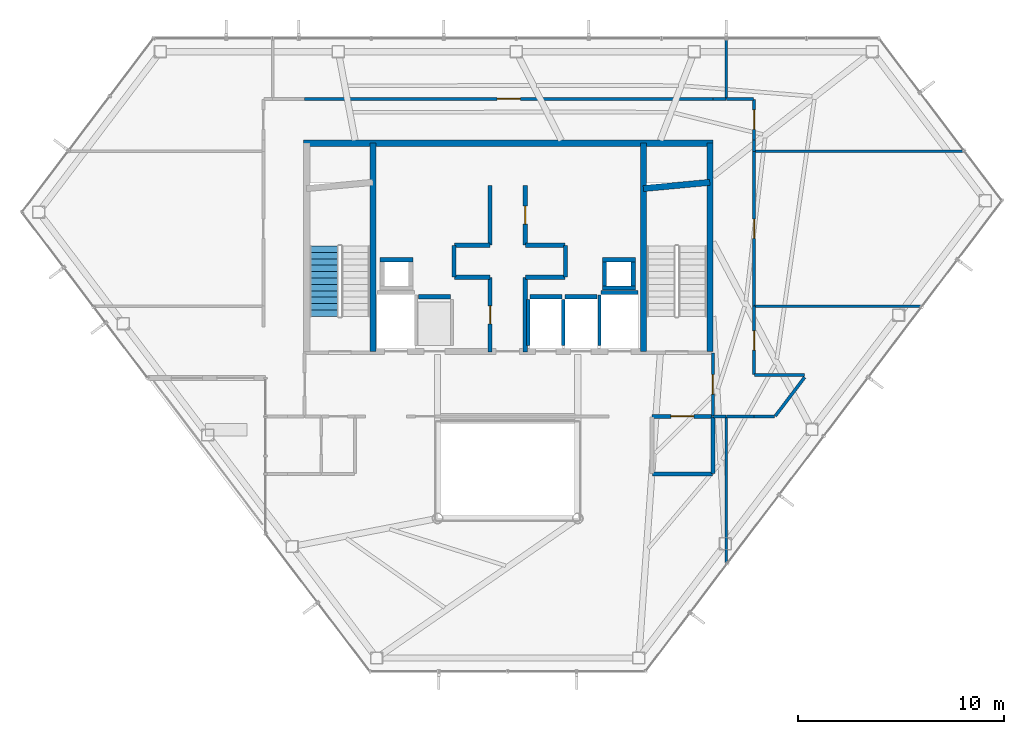
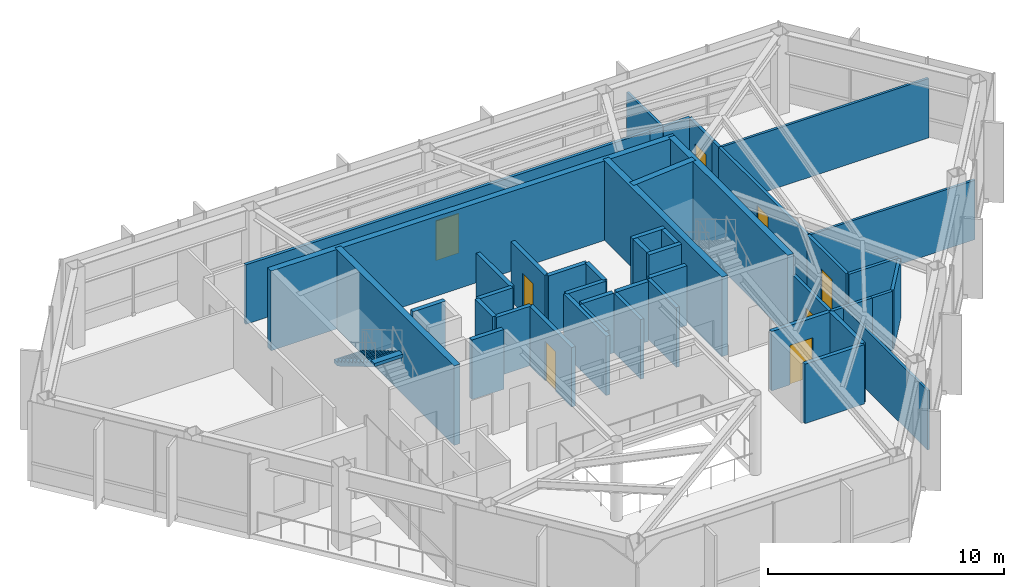
# One storey, part 20 of 23: 47 walls, 8 doors, 1 stair flight, 8 openings, 1 element without a shape of its own.
"""IFC4 building model written with IfcOpenShell, lengths in metres."""

from ifc_helpers import new_model, si_unit, direction, frame, frame_2d, origin, place, context, subcontext, project, spatial, polyline, rectangle, outline, extrude, material, layer, layer_set, type_object, element, fill, aggregate, save


model = new_model("IFC4")

# Units and contexts
model_context = context("Model", 3, precision=1e-05, world=origin(), true_north=direction((0.0, 1.0)))
body_context = subcontext(model_context, "Body", "Model", "MODEL_VIEW")
ifc_project = project(units=[si_unit("LENGTHUNIT", "METRE"), si_unit("AREAUNIT", "SQUARE_METRE"), si_unit("VOLUMEUNIT", "CUBIC_METRE"), si_unit("PLANEANGLEUNIT", "RADIAN"), si_unit("MASSUNIT", "GRAM", prefix="KILO")], contexts=[model_context])

# Site, building, storey
site_placement = place(None, origin())
site = spatial("IfcSite", under=ifc_project, at=site_placement, CompositionType="ELEMENT")
building_placement = place(site_placement, origin())
building = spatial("IfcBuilding", under=site, at=building_placement, Name="Zarrinselat Tower", CompositionType="ELEMENT")
storey_placement = place(building_placement, frame((0.0, 0.0, 199.919921875)))
storey = spatial("IfcBuildingStorey", under=building, at=storey_placement, Name="L49", CompositionType="ELEMENT", Elevation=199.919921875)

# Wall, opening, door
ifc_material_1 = material(Name="Concrete C40/50", Category="concrete")
ifc_layer_1 = layer(ifc_material_1, 0.18994140625)
ifc_layer_set_1 = layer_set([ifc_layer_1], Name="Concrete C40/50")
wall_type_1 = type_object("IfcWallType", Name="WAL-PART-EI120", PredefinedType="PARTITIONING", material=ifc_layer_set_1)
wall_1_placement = place(storey_placement, frame((45.405029296875, 30.14990234375, 0.0), z_axis=(0.0, 0.0, 1.0), x_axis=(1.0, 0.0, 0.0)))
wall_1 = element("IfcWall", 1, at=wall_1_placement, inside=storey, type_object=wall_type_1, Name="L49 Partition Wall 11", PredefinedType="PARTITIONING", context=body_context, shape_type="SweptSolid", body=[
    extrude(rectangle(XDim=2.925048828125, YDim=0.18994140625, at=frame_2d((1.46240234375, 0.0))), origin(), (0.0, 0.0, 1.0), 3.0771484375),
])
opening_1_placement = place(wall_1_placement, frame((0.902587890625, 0.0, 0.0)))
opening_1 = element("IfcOpeningElement", 2, at=opening_1_placement, cuts=wall_1, Name="Opening ID-02", PredefinedType="OPENING", context=body_context, shape_type="SweptSolid", body=[
    extrude(rectangle(XDim=1.1201171875, YDim=2.050048828125, at=frame_2d((0.56005859375, 1.02490234375))), frame((0.0, 0.10498046875, 0.0), z_axis=(0.0, -1.0, 0.0), x_axis=(1.0, 0.0, 0.0)), (0.0, 0.0, 1.0), 0.2099609375),
])
ifc_material_2 = material(Name="Steel S355J2", Category="steel")
door_type_1 = type_object("IfcDoorType", Name="DR-INT-FD60-W", OperationType="NOTDEFINED", PredefinedType="DOOR", material=ifc_material_2)
door_1_placement = place(opening_1_placement, origin())
door_1 = element("IfcDoor", 3, at=door_1_placement, inside=storey, type_object=door_type_1, Name="L49 Interior Door P11", OperationType="SINGLE_SWING_LEFT", OverallHeight=2.050048828125, OverallWidth=1.1201171875, PredefinedType="DOOR", context=body_context, shape_type="SweptSolid", body=[
    extrude(rectangle(XDim=1.1201171875, YDim=2.050048828125, at=frame_2d((0.56005859375, 1.02490234375))), frame((0.0, 0.02490234375, 0.0), z_axis=(0.0, -1.0, 0.0), x_axis=(1.0, 0.0, 0.0)), (0.0, 0.0, 1.0), 0.050048828125),
])
fill(opening_1, door_1)

# Walls
wall_2_placement = place(storey_placement, frame((45.419921875, 27.35009765625, 0.0), z_axis=(0.0, 0.0, 1.0), x_axis=(1.0, 0.0, 0.0)))
element("IfcWall", 4, at=wall_2_placement, inside=storey, type_object=wall_type_1, Name="L49 Partition Wall 18", PredefinedType="PARTITIONING", context=body_context, shape_type="SweptSolid", body=[
    extrude(rectangle(XDim=2.91015625, YDim=0.18994140625, at=frame_2d((1.455078125, 0.0))), origin(), (0.0, 0.0, 1.0), 3.0771484375),
])
wall_3_placement = place(storey_placement, frame((48.35009765625, 27.3701171875, 0.0), z_axis=(0.0, 0.0, 1.0), x_axis=(0.0, 1.0, 0.0)))
element("IfcWall", 5, at=wall_3_placement, inside=storey, type_object=wall_type_1, Name="L49 Partition Wall 20", PredefinedType="PARTITIONING", context=body_context, shape_type="SweptSolid", body=[
    extrude(rectangle(XDim=2.759765625, YDim=0.18994140625, at=frame_2d((1.3798828125, 0.0))), origin(), (0.0, 0.0, 1.0), 3.0771484375),
])

# Wall, opening, door
ifc_material_3 = material(Name="Fire-Rated Gypsum Board Partition", Category="gypsum")
ifc_layer_2 = layer(ifc_material_3, 0.14990234375)
ifc_layer_set_2 = layer_set([ifc_layer_2], Name="Fire-Rated Gypsum Board Partition")
wall_type_2 = type_object("IfcWallType", Name="WAL-PART-EI60", PredefinedType="PARTITIONING", material=ifc_layer_set_2)
wall_4_placement = place(storey_placement, frame((48.35009765625, 30.169921875, 0.0), z_axis=(0.0, 0.0, 1.0), x_axis=(0.0, 1.0, 0.0)))
wall_4 = element("IfcWall", 6, at=wall_4_placement, inside=storey, type_object=wall_type_2, Name="L49 Partition Wall 12", PredefinedType="PARTITIONING", context=body_context, shape_type="SweptSolid", body=[
    extrude(rectangle(XDim=3.06005859375, YDim=0.14990234375, at=frame_2d((1.530029296875, 0.0))), origin(), (0.0, 0.0, 1.0), 3.0771484375),
])
opening_2_placement = place(wall_4_placement, frame((1.06005859375, 0.0, 0.0)))
opening_2 = element("IfcOpeningElement", 7, at=opening_2_placement, cuts=wall_4, Name="Opening ID-04", PredefinedType="OPENING", context=body_context, shape_type="SweptSolid", body=[
    extrude(rectangle(XDim=0.93994140625, YDim=2.050048828125, at=frame_2d((0.469970703125, 1.02490234375))), frame((0.0, 0.0849609375, 0.0), z_axis=(0.0, -1.0, 0.0), x_axis=(1.0, 0.0, 0.0)), (0.0, 0.0, 1.0), 0.169921875),
])
ifc_material_4 = material(Name="Fire-Rated Gypsum Board Partition")
door_type_2 = type_object("IfcDoorType", Name="DR-INT-FD30-ENT", OperationType="NOTDEFINED", PredefinedType="DOOR", material=ifc_material_4)
door_2_placement = place(opening_2_placement, origin())
door_2 = element("IfcDoor", 8, at=door_2_placement, inside=storey, type_object=door_type_2, Name="L49 Interior Door P12", OperationType="SINGLE_SWING_RIGHT", OverallHeight=2.050048828125, OverallWidth=0.93994140625, PredefinedType="DOOR", context=body_context, shape_type="SweptSolid", body=[
    extrude(rectangle(XDim=0.93994140625, YDim=2.050048828125, at=frame_2d((0.469970703125, 1.02490234375))), frame((0.0, 0.02490234375, 0.0), z_axis=(0.0, -1.0, 0.0), x_axis=(1.0, 0.0, 0.0)), (0.0, 0.0, 1.0), 0.050048828125),
])
fill(opening_2, door_2)

# Wall
wall_5_placement = place(storey_placement, frame((48.3701171875, 30.14990234375, 0.0), z_axis=(0.0, 0.0, 1.0), x_axis=(1.0, 0.0, 0.0)))
element("IfcWall", 9, at=wall_5_placement, inside=storey, type_object=wall_type_2, Name="L49 Partition Wall 21", PredefinedType="PARTITIONING", context=body_context, shape_type="SweptSolid", body=[
    extrude(rectangle(XDim=0.625, YDim=0.14990234375, at=frame_2d((0.3125, 0.0))), origin(), (0.0, 0.0, 1.0), 3.0771484375),
])

# Wall, opening, door
wall_6_placement = place(storey_placement, frame((50.35009765625, 32.169921875, 0.0), z_axis=(0.0, 0.0, 1.0), x_axis=(0.0, 1.0, 0.0)))
wall_6 = element("IfcWall", 10, at=wall_6_placement, inside=storey, type_object=wall_type_2, Name="L49 Partition Wall 22", PredefinedType="PARTITIONING", context=body_context, shape_type="SweptSolid", body=[
    extrude(rectangle(XDim=3.3251953125, YDim=0.14990234375, at=frame_2d((1.66259765625, 0.0))), origin(), (0.0, 0.0, 1.0), 3.0771484375),
])
opening_3_placement = place(wall_6_placement, frame((1.1923828125, 0.0, 0.0)))
opening_3 = element("IfcOpeningElement", 11, at=opening_3_placement, cuts=wall_6, Name="Opening ID-04", PredefinedType="OPENING", context=body_context, shape_type="SweptSolid", body=[
    extrude(rectangle(XDim=0.93994140625, YDim=2.050048828125, at=frame_2d((0.469970703125, 1.02490234375))), frame((0.0, 0.0849609375, 0.0), z_axis=(0.0, -1.0, 0.0), x_axis=(1.0, 0.0, 0.0)), (0.0, 0.0, 1.0), 0.169921875),
])
door_3_placement = place(opening_3_placement, origin())
door_3 = element("IfcDoor", 12, at=door_3_placement, inside=storey, type_object=door_type_2, Name="L49 Interior Door P22", OperationType="SINGLE_SWING_RIGHT", OverallHeight=2.050048828125, OverallWidth=0.93994140625, PredefinedType="DOOR", context=body_context, shape_type="SweptSolid", body=[
    extrude(rectangle(XDim=0.93994140625, YDim=2.050048828125, at=frame_2d((0.469970703125, 1.02490234375))), frame((0.0, 0.02490234375, 0.0), z_axis=(0.0, -1.0, 0.0), x_axis=(1.0, 0.0, 0.0)), (0.0, 0.0, 1.0), 0.050048828125),
])
fill(opening_3, door_3)

# Walls
wall_7_placement = place(storey_placement, frame((50.3701171875, 32.14990234375, 0.0), z_axis=(0.0, 0.0, 1.0), x_axis=(1.0, 0.0, 0.0)))
element("IfcWall", 13, at=wall_7_placement, inside=storey, type_object=wall_type_2, Name="L49 Partition Wall 23", PredefinedType="PARTITIONING", context=body_context, shape_type="SweptSolid", body=[
    extrude(rectangle(XDim=2.429931640625, YDim=0.14990234375, at=frame_2d((1.21484375, 0.0))), origin(), (0.0, 0.0, 1.0), 3.0771484375),
])
wall_8_placement = place(storey_placement, frame((51.377197265625, 30.166015625, 0.0), z_axis=(0.0, 0.0, 1.0), x_axis=(0.603855693114, 0.797093659424, 0.0)))
element("IfcWall", 14, at=wall_8_placement, inside=storey, type_object=wall_type_2, Name="L49 Partition Wall 24", PredefinedType="PARTITIONING", context=body_context, shape_type="SweptSolid", body=[
    extrude(rectangle(XDim=2.356201171875, YDim=0.14990234375, at=frame_2d((1.17822265625, 0.0))), origin(), (0.0, 0.0, 1.0), 3.0771484375),
])
wall_9_placement = place(storey_placement, frame((50.35009765625, 30.14990234375, 0.0), z_axis=(0.0, 0.0, 1.0), x_axis=(1.0, 0.0, 0.0)))
element("IfcWall", 15, at=wall_9_placement, inside=storey, type_object=wall_type_2, Name="L49 Partition Wall 25", PredefinedType="PARTITIONING", context=body_context, shape_type="SweptSolid", body=[
    extrude(rectangle(XDim=0.9951171875, YDim=0.14990234375, at=frame_2d((0.49755859375, 0.0))), origin(), (0.0, 0.0, 1.0), 3.0771484375),
])
wall_10_placement = place(storey_placement, frame((49.0048828125, 30.14990234375, 0.0), z_axis=(0.0, 0.0, 1.0), x_axis=(1.0, 0.0, 0.0)))
element("IfcWall", 16, at=wall_10_placement, inside=storey, type_object=wall_type_2, Name="L49 Partition Wall 26", PredefinedType="PARTITIONING", context=body_context, shape_type="SweptSolid", body=[
    extrude(rectangle(XDim=1.34521484375, YDim=0.14990234375, at=frame_2d((0.672607421875, 0.0))), origin(), (0.0, 0.0, 1.0), 3.0771484375),
])

# Wall, opening, door
wall_11_placement = place(storey_placement, frame((50.35009765625, 35.5048828125, 0.0), z_axis=(0.0, 0.0, 1.0), x_axis=(0.0, 1.0, 0.0)))
wall_11 = element("IfcWall", 17, at=wall_11_placement, inside=storey, type_object=wall_type_2, Name="L49 Partition Wall 29", PredefinedType="PARTITIONING", context=body_context, shape_type="SweptSolid", body=[
    extrude(rectangle(XDim=7.490234375, YDim=0.14990234375, at=frame_2d((3.7451171875, 0.0))), origin(), (0.0, 0.0, 1.0), 3.0771484375),
])
opening_4_placement = place(wall_11_placement, frame((3.27490234375, 0.0, 0.0)))
opening_4 = element("IfcOpeningElement", 18, at=opening_4_placement, cuts=wall_11, Name="Opening ID-04", PredefinedType="OPENING", context=body_context, shape_type="SweptSolid", body=[
    extrude(rectangle(XDim=0.93994140625, YDim=2.050048828125, at=frame_2d((0.469970703125, 1.02490234375))), frame((0.0, 0.0849609375, 0.0), z_axis=(0.0, -1.0, 0.0), x_axis=(1.0, 0.0, 0.0)), (0.0, 0.0, 1.0), 0.169921875),
])
door_4_placement = place(opening_4_placement, origin())
door_4 = element("IfcDoor", 19, at=door_4_placement, inside=storey, type_object=door_type_2, Name="L49 Interior Door P29", OperationType="SINGLE_SWING_RIGHT", OverallHeight=2.050048828125, OverallWidth=0.93994140625, PredefinedType="DOOR", context=body_context, shape_type="SweptSolid", body=[
    extrude(rectangle(XDim=0.93994140625, YDim=2.050048828125, at=frame_2d((0.469970703125, 1.02490234375))), frame((0.0, 0.02490234375, 0.0), z_axis=(0.0, -1.0, 0.0), x_axis=(1.0, 0.0, 0.0)), (0.0, 0.0, 1.0), 0.050048828125),
])
fill(opening_4, door_4)

# Wall
wall_12_placement = place(storey_placement, frame((49.0048828125, 45.550048828125, 0.0), z_axis=(0.0, 0.0, 1.0), x_axis=(1.0, 0.0, 0.0)))
element("IfcWall", 20, at=wall_12_placement, inside=storey, type_object=wall_type_2, Name="L49 Partition Wall 33", PredefinedType="PARTITIONING", context=body_context, shape_type="SweptSolid", body=[
    extrude(rectangle(XDim=1.3251953125, YDim=0.14990234375, at=frame_2d((0.66259765625, 0.0))), origin(), (0.0, 0.0, 1.0), 3.0771484375),
])

# Wall, opening, door
wall_13_placement = place(storey_placement, frame((50.35009765625, 43.550048828125, 0.0), z_axis=(0.0, 0.0, 1.0), x_axis=(0.0, 1.0, 0.0)))
wall_13 = element("IfcWall", 21, at=wall_13_placement, inside=storey, type_object=wall_type_2, Name="L49 Partition Wall 34", PredefinedType="PARTITIONING", context=body_context, shape_type="SweptSolid", body=[
    extrude(rectangle(XDim=1.97998046875, YDim=0.14990234375, at=frame_2d((0.989990234375, 0.0))), origin(), (0.0, 0.0, 1.0), 3.0771484375),
])
opening_5_placement = place(wall_13_placement, frame((0.52001953125, 0.0, 0.0)))
opening_5 = element("IfcOpeningElement", 22, at=opening_5_placement, cuts=wall_13, Name="Opening ID-04", PredefinedType="OPENING", context=body_context, shape_type="SweptSolid", body=[
    extrude(rectangle(XDim=0.93994140625, YDim=2.050048828125, at=frame_2d((0.469970703125, 1.02490234375))), frame((0.0, 0.0849609375, 0.0), z_axis=(0.0, -1.0, 0.0), x_axis=(1.0, 0.0, 0.0)), (0.0, 0.0, 1.0), 0.169921875),
])
door_5_placement = place(opening_5_placement, origin())
door_5 = element("IfcDoor", 23, at=door_5_placement, inside=storey, type_object=door_type_2, Name="L49 Interior Door P34", OperationType="SINGLE_SWING_RIGHT", OverallHeight=2.050048828125, OverallWidth=0.93994140625, PredefinedType="DOOR", context=body_context, shape_type="SweptSolid", body=[
    extrude(rectangle(XDim=0.93994140625, YDim=2.050048828125, at=frame_2d((0.469970703125, 1.02490234375))), frame((0.0, 0.02490234375, 0.0), z_axis=(0.0, -1.0, 0.0), x_axis=(1.0, 0.0, 0.0)), (0.0, 0.0, 1.0), 0.050048828125),
])
fill(opening_5, door_5)

# Wall
wall_14_placement = place(storey_placement, frame((50.35009765625, 43.0048828125, 0.0), z_axis=(0.0, 0.0, 1.0), x_axis=(0.0, 1.0, 0.0)))
element("IfcWall", 24, at=wall_14_placement, inside=storey, type_object=wall_type_2, Name="L49 Partition Wall 35", PredefinedType="PARTITIONING", context=body_context, shape_type="SweptSolid", body=[
    extrude(rectangle(XDim=0.545166015625, YDim=0.14990234375, at=frame_2d((0.2724609375, 0.0))), origin(), (0.0, 0.0, 1.0), 3.0771484375),
])

# Wall, opening, door
wall_15_placement = place(storey_placement, frame((28.550048828125, 45.550048828125, 0.0), z_axis=(0.0, 0.0, 1.0), x_axis=(1.0, 0.0, 0.0)))
wall_15 = element("IfcWall", 25, at=wall_15_placement, inside=storey, type_object=wall_type_2, Name="L49 Partition Wall 37", PredefinedType="PARTITIONING", context=body_context, shape_type="SweptSolid", body=[
    extrude(rectangle(XDim=19.800048828125, YDim=0.14990234375, at=frame_2d((9.89990234375, 0.0))), origin(), (0.0, 0.0, 1.0), 3.0771484375),
])
opening_6_placement = place(wall_15_placement, frame((9.340087890625, 0.0, 0.0)))
opening_6 = element("IfcOpeningElement", 26, at=opening_6_placement, cuts=wall_15, Name="Opening ID-02", PredefinedType="OPENING", context=body_context, shape_type="SweptSolid", body=[
    extrude(rectangle(XDim=1.1201171875, YDim=2.050048828125, at=frame_2d((0.56005859375, 1.02490234375))), frame((0.0, 0.0849609375, 0.0), z_axis=(0.0, -1.0, 0.0), x_axis=(1.0, 0.0, 0.0)), (0.0, 0.0, 1.0), 0.169921875),
])
door_6_placement = place(opening_6_placement, origin())
door_6 = element("IfcDoor", 27, at=door_6_placement, inside=storey, type_object=door_type_1, Name="L49 Interior Door P37", OperationType="SINGLE_SWING_LEFT", OverallHeight=2.050048828125, OverallWidth=1.1201171875, PredefinedType="DOOR", context=body_context, shape_type="SweptSolid", body=[
    extrude(rectangle(XDim=1.1201171875, YDim=2.050048828125, at=frame_2d((0.56005859375, 1.02490234375))), frame((0.0, 0.02490234375, 0.0), z_axis=(0.0, -1.0, 0.0), x_axis=(1.0, 0.0, 0.0)), (0.0, 0.0, 1.0), 0.050048828125),
])
fill(opening_6, door_6)

# Wall
wall_16_placement = place(storey_placement, frame((48.35009765625, 45.550048828125, 0.0), z_axis=(0.0, 0.0, 1.0), x_axis=(1.0, 0.0, 0.0)))
element("IfcWall", 28, at=wall_16_placement, inside=storey, type_object=wall_type_2, Name="L49 Partition Wall 38", PredefinedType="PARTITIONING", context=body_context, shape_type="SweptSolid", body=[
    extrude(rectangle(XDim=0.64501953125, YDim=0.14990234375, at=frame_2d((0.322509765625, 0.0))), origin(), (0.0, 0.0, 1.0), 3.0771484375),
])

# Wall, opening, door
ifc_material_5 = material(Name="Concrete C40/50", Category="concrete")
ifc_layer_3 = layer(ifc_material_5, 0.199951171875)
ifc_layer_set_3 = layer_set([ifc_layer_3], Name="Concrete C40/50")
wall_type_3 = type_object("IfcWallType", Name="WAL-PART-PLANT", PredefinedType="PARTITIONING", material=ifc_layer_set_3)
wall_17_placement = place(storey_placement, frame((37.550048828125, 33.264892578125, 0.0), z_axis=(0.0, 0.0, 1.0), x_axis=(0.0, 1.0, 0.0)))
wall_17 = element("IfcWall", 29, at=wall_17_placement, inside=storey, type_object=wall_type_3, Name="L49 Partition Wall 1", PredefinedType="PARTITIONING", context=body_context, shape_type="SweptSolid", body=[
    extrude(rectangle(XDim=3.614990234375, YDim=0.199951171875, at=frame_2d((1.8076171875, 0.0))), origin(), (0.0, 0.0, 1.0), 3.0771484375),
])
opening_7_placement = place(wall_17_placement, frame((1.367431640625, 0.0, 0.0)))
opening_7 = element("IfcOpeningElement", 30, at=opening_7_placement, cuts=wall_17, Name="Opening ID-03", PredefinedType="OPENING", context=body_context, shape_type="SweptSolid", body=[
    extrude(rectangle(XDim=0.8798828125, YDim=2.050048828125, at=frame_2d((0.43994140625, 1.02490234375))), frame((0.0, 0.10986328125, 0.0), z_axis=(0.0, -1.0, 0.0), x_axis=(1.0, 0.0, 0.0)), (0.0, 0.0, 1.0), 0.219970703125),
])
ifc_material_6 = material(Name="Steel S355J2", Category="steel")
door_type_3 = type_object("IfcDoorType", Name="DR-INT-FD60-S", OperationType="NOTDEFINED", PredefinedType="DOOR", material=ifc_material_6)
door_7_placement = place(opening_7_placement, origin())
door_7 = element("IfcDoor", 31, at=door_7_placement, inside=storey, type_object=door_type_3, Name="L49 Interior Door P1", OperationType="SINGLE_SWING_LEFT", OverallHeight=2.050048828125, OverallWidth=0.8798828125, PredefinedType="DOOR", context=body_context, shape_type="SweptSolid", body=[
    extrude(rectangle(XDim=0.8798828125, YDim=2.050048828125, at=frame_2d((0.43994140625, 1.02490234375))), frame((0.0, 0.02490234375, 0.0), z_axis=(0.0, -1.0, 0.0), x_axis=(1.0, 0.0, 0.0)), (0.0, 0.0, 1.0), 0.050048828125),
])
fill(opening_7, door_7)

# Walls
wall_18_placement = place(storey_placement, frame((35.820068359375, 36.89990234375, 0.0), z_axis=(0.0, 0.0, 1.0), x_axis=(1.0, 0.0, 0.0)))
element("IfcWall", 32, at=wall_18_placement, inside=storey, type_object=wall_type_3, Name="L49 Partition Wall 2", PredefinedType="PARTITIONING", context=body_context, shape_type="SweptSolid", body=[
    extrude(rectangle(XDim=1.7099609375, YDim=0.199951171875, at=frame_2d((0.85498046875, 0.0))), origin(), (0.0, 0.0, 1.0), 3.0771484375),
])
wall_19_placement = place(storey_placement, frame((35.800048828125, 36.919921875, 0.0), z_axis=(0.0, 0.0, 1.0), x_axis=(0.0, 1.0, 0.0)))
element("IfcWall", 33, at=wall_19_placement, inside=storey, type_object=wall_type_3, Name="L49 Partition Wall 3", PredefinedType="PARTITIONING", context=body_context, shape_type="SweptSolid", body=[
    extrude(rectangle(XDim=1.510009765625, YDim=0.199951171875, at=frame_2d((0.7548828125, 0.0))), origin(), (0.0, 0.0, 1.0), 3.0771484375),
])
wall_20_placement = place(storey_placement, frame((35.820068359375, 38.449951171875, 0.0), z_axis=(0.0, 0.0, 1.0), x_axis=(1.0, 0.0, 0.0)))
element("IfcWall", 34, at=wall_20_placement, inside=storey, type_object=wall_type_3, Name="L49 Partition Wall 4", PredefinedType="PARTITIONING", context=body_context, shape_type="SweptSolid", body=[
    extrude(rectangle(XDim=1.7099609375, YDim=0.199951171875, at=frame_2d((0.85498046875, 0.0))), origin(), (0.0, 0.0, 1.0), 3.0771484375),
])
wall_21_placement = place(storey_placement, frame((37.550048828125, 38.469970703125, 0.0), z_axis=(0.0, 0.0, 1.0), x_axis=(0.0, 1.0, 0.0)))
element("IfcWall", 35, at=wall_21_placement, inside=storey, type_object=wall_type_3, Name="L49 Partition Wall 5", PredefinedType="PARTITIONING", context=body_context, shape_type="SweptSolid", body=[
    extrude(rectangle(XDim=2.880126953125, YDim=0.199951171875, at=frame_2d((1.43994140625, 0.0))), origin(), (0.0, 0.0, 1.0), 3.0771484375),
])

# Wall, opening, door
wall_22_placement = place(storey_placement, frame((39.25, 38.469970703125, 0.0), z_axis=(0.0, 0.0, 1.0), x_axis=(0.0, 1.0, 0.0)))
wall_22 = element("IfcWall", 36, at=wall_22_placement, inside=storey, type_object=wall_type_3, Name="L49 Partition Wall 6", PredefinedType="PARTITIONING", context=body_context, shape_type="SweptSolid", body=[
    extrude(rectangle(XDim=2.880126953125, YDim=0.199951171875, at=frame_2d((1.43994140625, 0.0))), origin(), (0.0, 0.0, 1.0), 3.0771484375),
])
opening_8_placement = place(wall_22_placement, frame((1.0, 0.0, 0.0)))
opening_8 = element("IfcOpeningElement", 37, at=opening_8_placement, cuts=wall_22, Name="Opening ID-03", PredefinedType="OPENING", context=body_context, shape_type="SweptSolid", body=[
    extrude(rectangle(XDim=0.8798828125, YDim=2.050048828125, at=frame_2d((0.43994140625, 1.02490234375))), frame((0.0, 0.10986328125, 0.0), z_axis=(0.0, -1.0, 0.0), x_axis=(1.0, 0.0, 0.0)), (0.0, 0.0, 1.0), 0.219970703125),
])
door_8_placement = place(opening_8_placement, origin())
door_8 = element("IfcDoor", 38, at=door_8_placement, inside=storey, type_object=door_type_3, Name="L49 Interior Door P6", OperationType="SINGLE_SWING_RIGHT", OverallHeight=2.050048828125, OverallWidth=0.8798828125, PredefinedType="DOOR", context=body_context, shape_type="SweptSolid", body=[
    extrude(rectangle(XDim=0.8798828125, YDim=2.050048828125, at=frame_2d((0.43994140625, 1.02490234375))), frame((0.0, 0.02490234375, 0.0), z_axis=(0.0, -1.0, 0.0), x_axis=(1.0, 0.0, 0.0)), (0.0, 0.0, 1.0), 0.050048828125),
])
fill(opening_8, door_8)

# Walls
wall_23_placement = place(storey_placement, frame((39.27001953125, 38.449951171875, 0.0), z_axis=(0.0, 0.0, 1.0), x_axis=(1.0, 0.0, 0.0)))
element("IfcWall", 39, at=wall_23_placement, inside=storey, type_object=wall_type_3, Name="L49 Partition Wall 7", PredefinedType="PARTITIONING", context=body_context, shape_type="SweptSolid", body=[
    extrude(rectangle(XDim=1.909912109375, YDim=0.199951171875, at=frame_2d((0.955078125, 0.0))), origin(), (0.0, 0.0, 1.0), 3.0771484375),
])
wall_24_placement = place(storey_placement, frame((41.199951171875, 36.919921875, 0.0), z_axis=(0.0, 0.0, 1.0), x_axis=(0.0, 1.0, 0.0)))
element("IfcWall", 40, at=wall_24_placement, inside=storey, type_object=wall_type_3, Name="L49 Partition Wall 8", PredefinedType="PARTITIONING", context=body_context, shape_type="SweptSolid", body=[
    extrude(rectangle(XDim=1.510009765625, YDim=0.199951171875, at=frame_2d((0.7548828125, 0.0))), origin(), (0.0, 0.0, 1.0), 3.0771484375),
])
wall_25_placement = place(storey_placement, frame((39.27001953125, 36.89990234375, 0.0), z_axis=(0.0, 0.0, 1.0), x_axis=(1.0, 0.0, 0.0)))
element("IfcWall", 41, at=wall_25_placement, inside=storey, type_object=wall_type_3, Name="L49 Partition Wall 9", PredefinedType="PARTITIONING", context=body_context, shape_type="SweptSolid", body=[
    extrude(rectangle(XDim=1.909912109375, YDim=0.199951171875, at=frame_2d((0.955078125, 0.0))), origin(), (0.0, 0.0, 1.0), 3.0771484375),
])
wall_26_placement = place(storey_placement, frame((39.25, 33.264892578125, 0.0), z_axis=(0.0, 0.0, 1.0), x_axis=(0.0, 1.0, 0.0)))
element("IfcWall", 42, at=wall_26_placement, inside=storey, type_object=wall_type_3, Name="L49 Partition Wall 10", PredefinedType="PARTITIONING", context=body_context, shape_type="SweptSolid", body=[
    extrude(rectangle(XDim=3.614990234375, YDim=0.199951171875, at=frame_2d((1.8076171875, 0.0))), origin(), (0.0, 0.0, 1.0), 3.0771484375),
])
ifc_material_7 = material(Name="Fire-Rated Gypsum Board Partition", Category="gypsum")
ifc_layer_4 = layer(ifc_material_7, 0.1201171875)
ifc_layer_set_4 = layer_set([ifc_layer_4], Name="Fire-Rated Gypsum Board Partition")
wall_type_4 = type_object("IfcWallType", Name="WAL-PART-STD", PredefinedType="PARTITIONING", material=ifc_layer_set_4)
wall_27_placement = place(storey_placement, frame((49.0, 22.96923828125, 0.0), z_axis=(0.0, 0.0, 1.0), x_axis=(0.0, 1.0, 0.0)))
element("IfcWall", 43, at=wall_27_placement, inside=storey, type_object=wall_type_4, Name="L49 Partition Wall 46", PredefinedType="PARTITIONING", context=body_context, shape_type="SweptSolid", body=[
    extrude(rectangle(XDim=7.16064453125, YDim=0.1201171875, at=frame_2d((3.580322265625, 0.0))), origin(), (0.0, 0.0, 1.0), 3.0771484375),
])
wall_28_placement = place(storey_placement, frame((50.3701171875, 35.5, 0.0), z_axis=(0.0, 0.0, 1.0), x_axis=(1.0, 0.0, 0.0)))
element("IfcWall", 44, at=wall_28_placement, inside=storey, type_object=wall_type_4, Name="L49 Partition Wall 47", PredefinedType="PARTITIONING", context=body_context, shape_type="SweptSolid", body=[
    extrude(rectangle(XDim=8.119140625, YDim=0.1201171875, at=frame_2d((4.0595703125, 0.0))), origin(), (0.0, 0.0, 1.0), 3.0771484375),
])
wall_29_placement = place(storey_placement, frame((50.3701171875, 43.0, 0.0), z_axis=(0.0, 0.0, 1.0), x_axis=(1.0, 0.0, 0.0)))
element("IfcWall", 45, at=wall_29_placement, inside=storey, type_object=wall_type_4, Name="L49 Partition Wall 50", PredefinedType="PARTITIONING", context=body_context, shape_type="SweptSolid", body=[
    extrude(rectangle(XDim=10.17578125, YDim=0.1201171875, at=frame_2d((5.087890625, 0.0))), origin(), (0.0, 0.0, 1.0), 3.0771484375),
])
wall_30_placement = place(storey_placement, frame((49.0, 45.570068359375, 0.0), z_axis=(0.0, 0.0, 1.0), x_axis=(0.0, 1.0, 0.0)))
element("IfcWall", 46, at=wall_30_placement, inside=storey, type_object=wall_type_4, Name="L49 Partition Wall 52", PredefinedType="PARTITIONING", context=body_context, shape_type="SweptSolid", body=[
    extrude(rectangle(XDim=2.904052734375, YDim=0.1201171875, at=frame_2d((1.4521484375, 0.0))), origin(), (0.0, 0.0, 1.0), 3.0771484375),
])
ifc_material_8 = material(Name="Concrete C40/50", Category="concrete")
ifc_layer_5 = layer(ifc_material_8, 0.2099609375)
ifc_layer_set_5 = layer_set([ifc_layer_5], Name="Concrete C40/50")
wall_type_5 = type_object("IfcWallType", Name="WAL-SHAFT-210", PredefinedType="SOLIDWALL", material=ifc_layer_set_5)
wall_31_placement = place(storey_placement, frame((42.919921875, 36.155029296875, 0.0), z_axis=(0.0, 0.0, 1.0), x_axis=(1.0, 0.0, 0.0)))
element("IfcWall", 47, at=wall_31_placement, inside=storey, type_object=wall_type_5, Name="L49 Lift FFL2 North Shaft Wall", PredefinedType="SOLIDWALL", context=body_context, shape_type="SweptSolid", body=[
    extrude(rectangle(XDim=1.800048828125, YDim=0.2099609375, at=frame_2d((0.89990234375, 0.0))), origin(), (0.0, 0.0, 1.0), 3.092041015625),
])
wall_32_placement = place(storey_placement, frame((42.85009765625, 33.580078125, 0.0), z_axis=(0.0, 0.0, 1.0), x_axis=(0.0, 1.0, 0.0)))
element("IfcWall", 48, at=wall_32_placement, inside=storey, type_object=wall_type_5, Name="L49 Lift FFL2 W Shaft Wall", PredefinedType="SOLIDWALL", context=body_context, shape_type="SweptSolid", body=[
    extrude(rectangle(XDim=2.449951171875, YDim=0.159912109375, at=frame_2d((1.22509765625, 0.0))), origin(), (0.0, 0.0, 1.0), 3.092041015625),
])
wall_33_placement = place(storey_placement, frame((39.469970703125, 35.955078125, 0.0), z_axis=(0.0, 0.0, 1.0), x_axis=(1.0, 0.0, 0.0)))
element("IfcWall", 49, at=wall_33_placement, inside=storey, type_object=wall_type_5, Name="L49 Lift PL8 North Shaft Wall", PredefinedType="SOLIDWALL", context=body_context, shape_type="SweptSolid", body=[
    extrude(rectangle(XDim=1.56005859375, YDim=0.2099609375, at=frame_2d((0.780029296875, 0.0))), origin(), (0.0, 0.0, 1.0), 3.092041015625),
])
for number, where, z_axis, x_axis, name in (
    (50, (39.39990234375, 33.580078125, 0.0), (0.0, 0.0, 1.0), (0.0, 1.0, 0.0), "L49 Lift PL8 W Shaft Wall"),
    (51, (41.10009765625, 33.580078125, 0.0), (0.0, 0.0, 1.0), (0.0, 1.0, 0.0), "L49 Lift PL8 E Shaft Wall"),
):
    element("IfcWall", number, at=place(storey_placement, frame(where, z_axis=z_axis, x_axis=x_axis)), inside=storey, type_object=wall_type_5, Name=name, PredefinedType="SOLIDWALL", context=body_context, shape_type="SweptSolid", body=[
        extrude(rectangle(XDim=2.25, YDim=0.159912109375, at=frame_2d((1.125, 0.0))), origin(), (0.0, 0.0, 1.0), 3.092041015625),
    ])
wall_34_placement = place(storey_placement, frame((41.169921875, 35.955078125, 0.0), z_axis=(0.0, 0.0, 1.0), x_axis=(1.0, 0.0, 0.0)))
element("IfcWall", 52, at=wall_34_placement, inside=storey, type_object=wall_type_5, Name="L49 Lift PL9 North Shaft Wall", PredefinedType="SOLIDWALL", context=body_context, shape_type="SweptSolid", body=[
    extrude(rectangle(XDim=1.56005859375, YDim=0.2099609375, at=frame_2d((0.780029296875, 0.0))), origin(), (0.0, 0.0, 1.0), 3.092041015625),
])
wall_35_placement = place(storey_placement, frame((34.070068359375, 35.955078125, 0.0), z_axis=(0.0, 0.0, 1.0), x_axis=(1.0, 0.0, 0.0)))
element("IfcWall", 53, at=wall_35_placement, inside=storey, type_object=wall_type_5, Name="L49 Lift PL10 North Shaft Wall", PredefinedType="SOLIDWALL", context=body_context, shape_type="SweptSolid", body=[
    extrude(rectangle(XDim=1.559814453125, YDim=0.2099609375, at=frame_2d((0.77978515625, 0.0))), origin(), (0.0, 0.0, 1.0), 3.092041015625),
])
for number, where, z_axis, x_axis, name in (
    (54, (32.2099609375, 37.7451171875, 0.0), (0.0, 0.0, 1.0), (1.0, 0.0, 0.0), "L49 Core Riser RSR-W N Shaft Wall"),
    (55, (42.989990234375, 36.375, 0.0), (0.0, 0.0, 1.0), (1.0, 0.0, 0.0), "L49 Core Riser RSR-E S Shaft Wall"),
    (56, (42.989990234375, 37.7451171875, 0.0), (0.0, 0.0, 1.0), (1.0, 0.0, 0.0), "L49 Core Riser RSR-E N Shaft Wall"),
):
    element("IfcWall", number, at=place(storey_placement, frame(where, z_axis=z_axis, x_axis=x_axis)), inside=storey, type_object=wall_type_5, Name=name, PredefinedType="SOLIDWALL", context=body_context, shape_type="SweptSolid", body=[
        extrude(rectangle(XDim=1.60009765625, YDim=0.2099609375, at=frame_2d((0.800048828125, 0.0))), origin(), (0.0, 0.0, 1.0), 4.1201171875),
    ])
for number, where, z_axis, x_axis, name in (
    (57, (43.094970703125, 36.485107421875, 0.0), (0.0, 0.0, 1.0), (0.0, 1.0, 0.0), "L49 Core Riser RSR-E W Shaft Wall"),
    (58, (44.485107421875, 36.485107421875, 0.0), (0.0, 0.0, 1.0), (0.0, 1.0, 0.0), "L49 Core Riser RSR-E E Shaft Wall"),
):
    element("IfcWall", number, at=place(storey_placement, frame(where, z_axis=z_axis, x_axis=x_axis)), inside=storey, type_object=wall_type_5, Name=name, PredefinedType="SOLIDWALL", context=body_context, shape_type="SweptSolid", body=[
        extrude(rectangle(XDim=1.14990234375, YDim=0.2099609375, at=frame_2d((0.574951171875, 0.0))), origin(), (0.0, 0.0, 1.0), 4.1201171875),
    ])
ifc_material_9 = material(Name="Concrete C40/50", Category="concrete")
ifc_layer_6 = layer(ifc_material_9, 0.300048828125)
ifc_layer_set_6 = layer_set([ifc_layer_6], Name="Concrete C40/50")
wall_type_6 = type_object("IfcWallType", Name="WAL-SHEAR-300", PredefinedType="SHEAR", material=ifc_layer_set_6)
wall_36_placement = place(storey_placement, frame((28.5, 43.39990234375, 0.0), z_axis=(0.0, 0.0, 1.0), x_axis=(1.0, 0.0, 0.0)))
element("IfcWall", 59, at=wall_36_placement, inside=storey, type_object=wall_type_6, Name="L49 North Core Shear Wall", PredefinedType="SHEAR", context=body_context, shape_type="SweptSolid", body=[
    extrude(rectangle(XDim=19.860107421875, YDim=0.300048828125, at=frame_2d((9.93017578125, 0.0))), origin(), (0.0, 0.0, 1.0), 4.1201171875),
])
for number, where, z_axis, x_axis, name in (
    (60, (31.8701171875, 33.300048828125, 0.0), (0.0, 0.0, 1.0), (0.0, 1.0, 0.0), "L49 Core Shear Wall ST1E"),
    (61, (44.989990234375, 33.300048828125, 0.0), (0.0, 0.0, 1.0), (0.0, 1.0, 0.0), "L49 Core Shear Wall ST2W"),
    (62, (48.2099609375, 33.300048828125, 0.0), (0.0, 0.0, 1.0), (0.0, 1.0, 0.0), "L49 Core Shear Wall E"),
):
    element("IfcWall", number, at=place(storey_placement, frame(where, z_axis=z_axis, x_axis=x_axis)), inside=storey, type_object=wall_type_6, Name=name, PredefinedType="SHEAR", context=body_context, shape_type="SweptSolid", body=[
        extrude(rectangle(XDim=10.099853515625, YDim=0.300048828125, at=frame_2d((5.0498046875, 0.0))), origin(), (0.0, 0.0, 1.0), 4.1201171875),
    ])
wall_37_placement = place(storey_placement, frame((44.97998046875, 41.199951171875, 0.0), z_axis=(0.0, 0.0, 1.0), x_axis=(0.995686468965, 0.09278176286, 0.0)))
element("IfcWall", 63, at=wall_37_placement, inside=storey, type_object=wall_type_6, Name="L49 Stair 2 North Shaft Wall", PredefinedType="SHEAR", context=body_context, shape_type="SweptSolid", body=[
    extrude(rectangle(XDim=3.23388671875, YDim=0.300048828125, at=frame_2d((1.616943359375, 0.0))), origin(), (0.0, 0.0, 1.0), 4.1201171875),
])

# Stair, stair flight
ifc_material_10 = material(Name="Concrete C40/50", Category="concrete")
stair_type = type_object("IfcStairType", Name="STR-CORE-155", PredefinedType="HALF_TURN_STAIR", material=ifc_material_10)
stair_placement = place(storey_placement, origin())
stair = element("IfcStair", 64, at=stair_placement, inside=storey, type_object=stair_type, Name="L49 Core Exit Stair 1", PredefinedType="HALF_TURN_STAIR")
ifc_material_11 = material(Name="Concrete C40/50", Category="concrete")
stair_flight_type = type_object("IfcStairFlightType", Name="STR-FLT-155", PredefinedType="STRAIGHT", material=ifc_material_11)
stair_flight_placement = place(storey_placement, frame((29.5, 38.409912109375, 2.2099609375), z_axis=(0.0, 0.0, 1.0), x_axis=(0.0, -1.0, 0.0)))
stair_flight = element("IfcStairFlight", 65, at=stair_flight_placement, type_object=stair_flight_type, Name="ST-1 flight 2", NumberOfRisers=12, NumberOfTreads=11, PredefinedType="STRAIGHT", RiserHeight=0.184166667, TreadLength=0.31, context=body_context, shape_type="SweptSolid", body=[
    extrude(outline(polyline([(0.0, 0.0), (0.0, 0.18408203125), (0.31005859375, 0.18408203125), (0.31005859375, 0.368408203125), (0.6201171875, 0.368408203125), (0.6201171875, 0.552490234375), (0.929931640625, 0.552490234375), (0.929931640625, 0.736572265625), (1.239990234375, 0.736572265625), (1.239990234375, 0.9208984375), (1.550048828125, 0.9208984375), (1.550048828125, 1.10498046875), (1.860107421875, 1.10498046875), (1.860107421875, 1.2890625), (2.169921875, 1.2890625), (2.169921875, 1.473388671875), (2.47998046875, 1.473388671875), (2.47998046875, 1.657470703125), (2.7900390625, 1.657470703125), (2.7900390625, 1.841552734375), (3.10009765625, 1.841552734375), (3.10009765625, 2.02587890625), (3.409912109375, 2.02587890625), (3.409912109375, 2.2099609375), (3.409912109375, 1.8515625), (0.29345703125, 0.0), (0.0, 0.0)])), frame((0.0, 0.699951171875, 0.0), z_axis=(0.0, -1.0, 0.0), x_axis=(1.0, 0.0, 0.0)), (0.0, 0.0, 1.0), 1.39990234375),
])
aggregate(stair, [stair_flight])

save(model, "model.ifc")
